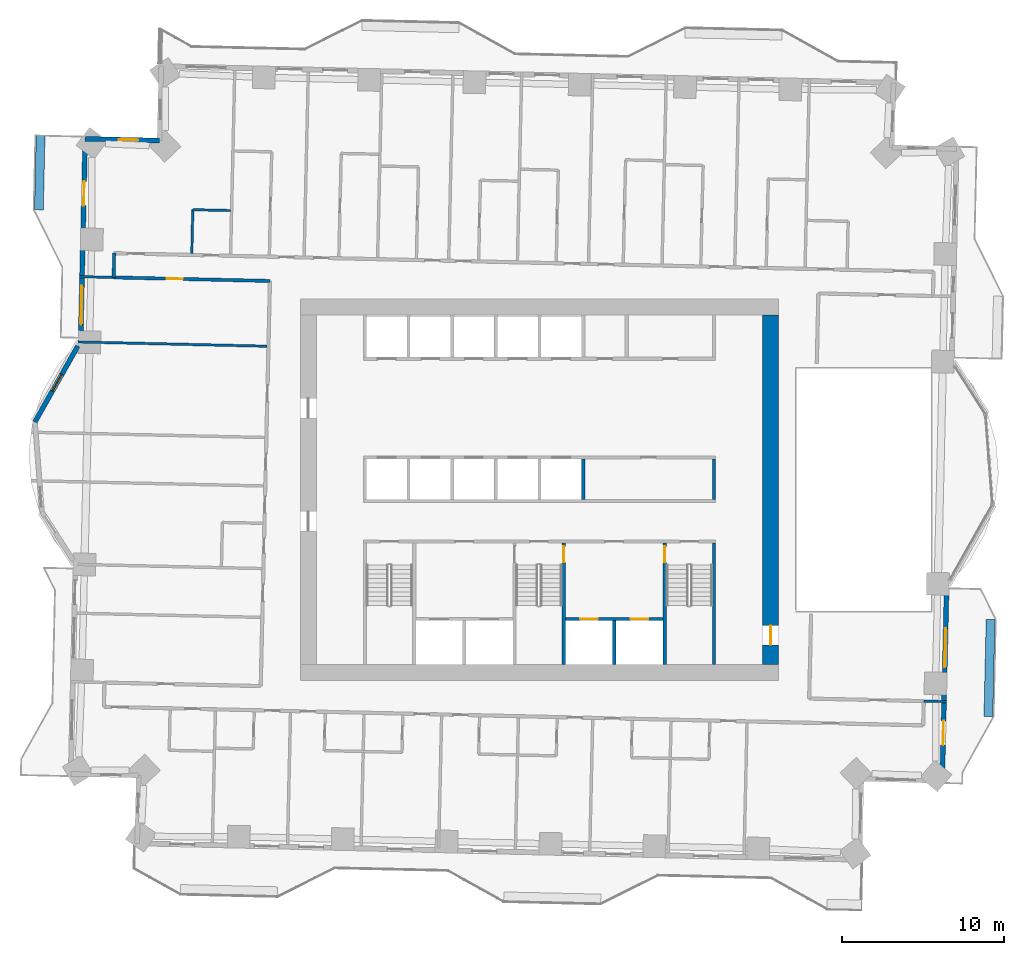
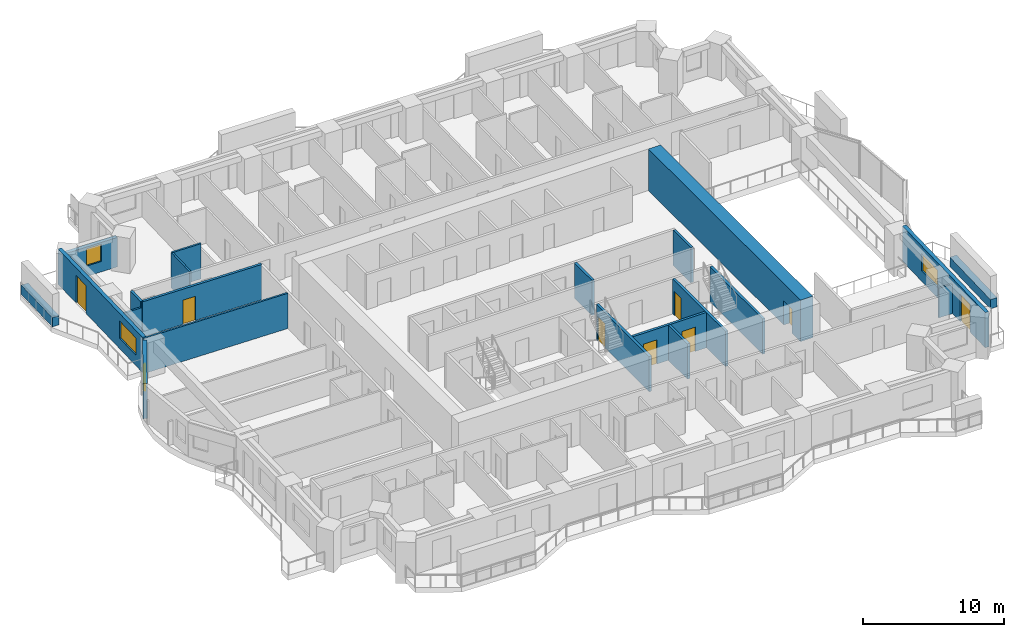
# One storey, part 9 of 16: 21 walls, 8 doors, 4 windows, 12 openings.
"""IFC4 building model written with IfcOpenShell, lengths in metres."""

from ifc_helpers import new_model, si_unit, direction, frame, frame_2d, origin, place, context, subcontext, project, spatial, rectangle, extrude, material, layer, layer_set, type_object, element, fill, save


model = new_model("IFC4")

# Units and contexts
model_context = context("Model", 3, precision=1e-05, world=origin(), true_north=direction((0.0, 1.0)))
body_context = subcontext(model_context, "Body", "Model", "MODEL_VIEW")
ifc_project = project(units=[si_unit("LENGTHUNIT", "METRE"), si_unit("AREAUNIT", "SQUARE_METRE"), si_unit("VOLUMEUNIT", "CUBIC_METRE"), si_unit("PLANEANGLEUNIT", "RADIAN"), si_unit("MASSUNIT", "GRAM", prefix="KILO")], contexts=[model_context])

# Site, building, storey
site_placement = place(None, origin())
site = spatial("IfcSite", under=ifc_project, at=site_placement, CompositionType="ELEMENT")
building_placement = place(site_placement, origin())
building = spatial("IfcBuilding", under=site, at=building_placement, Name="Mangrove Gate Tower", CompositionType="ELEMENT")
storey_placement = place(building_placement, frame((0.0, 0.0, 109.10009765625)))
storey = spatial("IfcBuildingStorey", under=building, at=storey_placement, Name="L27", CompositionType="ELEMENT", Elevation=109.10009765625)

# Wall
ifc_material_1 = material(Name="Concrete C32/40", Category="concrete")
ifc_layer_1 = layer(ifc_material_1, 0.199951171875)
ifc_layer_set_1 = layer_set([ifc_layer_1], Name="Core room wall 200 C32/40")
wall_type_1 = type_object("IfcWallType", Name="Core room wall 200 C32/40", PredefinedType="STANDARD", material=ifc_layer_set_1)
wall_1_placement = place(storey_placement, frame((10.800048828125, -0.60009765625, 0.0), z_axis=(0.0, 0.0, 1.0), x_axis=(0.0, 1.0, 0.0)))
element("IfcWall", 1, at=wall_1_placement, inside=storey, type_object=wall_type_1, Name="WALL-L27-CORE-25", PredefinedType="STANDARD", context=body_context, shape_type="SweptSolid", body=[
    extrude(rectangle(XDim=2.5, YDim=0.199951171875, at=frame_2d((1.25, 0.0))), origin(), (0.0, 0.0, 1.0), 3.0498046875),
])

# Wall, openings, doors
ifc_material_2 = material(Name="Concrete C70/85", Category="concrete")
ifc_layer_2 = layer(ifc_material_2, 0.199951171875)
ifc_layer_set_2 = layer_set([ifc_layer_2], Name="Core shaft wall 200 C70/85")
wall_type_2 = type_object("IfcWallType", Name="Core shaft wall 200 C70/85", PredefinedType="SHEAR", material=ifc_layer_set_2)
wall_2_placement = place(storey_placement, frame((1.60009765625, -8.0, 0.0), z_axis=(0.0, 0.0, 1.0), x_axis=(1.0, 0.0, 0.0)))
wall_2 = element("IfcWall", 2, at=wall_2_placement, inside=storey, type_object=wall_type_2, Name="WALL-L27-CORE-17", PredefinedType="SHEAR", context=body_context, shape_type="SweptSolid", body=[
    extrude(rectangle(XDim=6.0498046875, YDim=0.199951171875, at=frame_2d((3.02490234375, 0.0))), origin(), (0.0, 0.0, 1.0), 3.0498046875),
])
opening_1_placement = place(wall_2_placement, frame((0.91259765625, 0.0, 0.0)))
opening_1 = element("IfcOpeningElement", 3, at=opening_1_placement, cuts=wall_2, Name="Opening LD", PredefinedType="OPENING", context=body_context, shape_type="SweptSolid", body=[
    extrude(rectangle(XDim=1.10009765625, YDim=2.10009765625, at=frame_2d((0.550048828125, 1.050048828125))), frame((0.0, 0.10986328125, 0.0), z_axis=(0.0, -1.0, 0.0), x_axis=(1.0, 0.0, 0.0)), (0.0, 0.0, 1.0), 0.219970703125),
])
opening_2_placement = place(wall_2_placement, frame((4.03759765625, 0.0, 0.0)))
opening_2 = element("IfcOpeningElement", 4, at=opening_2_placement, cuts=wall_2, Name="Opening LD", PredefinedType="OPENING", context=body_context, shape_type="SweptSolid", body=[
    extrude(rectangle(XDim=1.10009765625, YDim=2.10009765625, at=frame_2d((0.550048828125, 1.050048828125))), frame((0.0, 0.10986328125, 0.0), z_axis=(0.0, -1.0, 0.0), x_axis=(1.0, 0.0, 0.0)), (0.0, 0.0, 1.0), 0.219970703125),
])
ifc_material_3 = material(Name="Stainless steel 316", Category="steel")
door_type_1 = type_object("IfcDoorType", Name="Lift landing door 1100x2100", OperationType="SLIDING_TO_LEFT", PredefinedType="DOOR", material=ifc_material_3)
door_1_placement = place(opening_1_placement, origin())
door_1 = element("IfcDoor", 5, at=door_1_placement, inside=storey, type_object=door_type_1, Name="Landing door LD FFL1", OperationType="SLIDING_TO_LEFT", OverallHeight=2.10009765625, OverallWidth=1.10009765625, PredefinedType="DOOR", context=body_context, shape_type="SweptSolid", body=[
    extrude(rectangle(XDim=1.10009765625, YDim=2.10009765625, at=frame_2d((0.550048828125, 1.050048828125))), frame((0.0, 0.02490234375, 0.0), z_axis=(0.0, -1.0, 0.0), x_axis=(1.0, 0.0, 0.0)), (0.0, 0.0, 1.0), 0.050048828125),
])
fill(opening_1, door_1)
door_2_placement = place(opening_2_placement, origin())
door_2 = element("IfcDoor", 6, at=door_2_placement, inside=storey, type_object=door_type_1, Name="Landing door LD FFL2", OperationType="SLIDING_TO_LEFT", OverallHeight=2.10009765625, OverallWidth=1.10009765625, PredefinedType="DOOR", context=body_context, shape_type="SweptSolid", body=[
    extrude(rectangle(XDim=1.10009765625, YDim=2.10009765625, at=frame_2d((0.550048828125, 1.050048828125))), frame((0.0, 0.02490234375, 0.0), z_axis=(0.0, -1.0, 0.0), x_axis=(1.0, 0.0, 0.0)), (0.0, 0.0, 1.0), 0.050048828125),
])
fill(opening_2, door_2)

# Walls
wall_3_placement = place(storey_placement, frame((4.625, -10.800048828125, 0.0), z_axis=(0.0, 0.0, 1.0), x_axis=(0.0, 1.0, 0.0)))
element("IfcWall", 7, at=wall_3_placement, inside=storey, type_object=wall_type_2, Name="WALL-L27-CORE-18", PredefinedType="SHEAR", context=body_context, shape_type="SweptSolid", body=[
    extrude(rectangle(XDim=2.699951171875, YDim=0.199951171875, at=frame_2d((1.35009765625, 0.0))), origin(), (0.0, 0.0, 1.0), 3.0498046875),
])
wall_4_placement = place(storey_placement, frame((2.699951171875, -0.60009765625, 0.0), z_axis=(0.0, 0.0, 1.0), x_axis=(0.0, 1.0, 0.0)))
element("IfcWall", 8, at=wall_4_placement, inside=storey, type_object=wall_type_2, Name="WALL-L27-CORE-24", PredefinedType="SHEAR", context=body_context, shape_type="SweptSolid", body=[
    extrude(rectangle(XDim=2.5, YDim=0.199951171875, at=frame_2d((1.25, 0.0))), origin(), (0.0, 0.0, 1.0), 3.0498046875),
])

# Wall, opening, door
ifc_material_4 = material(Name="Concrete C70/85", Category="concrete")
ifc_layer_3 = layer(ifc_material_4, 0.199951171875)
ifc_layer_set_3 = layer_set([ifc_layer_3], Name="Core stair wall 200 C70/85")
wall_type_3 = type_object("IfcWallType", Name="Core stair wall 200 C70/85", PredefinedType="SHEAR", material=ifc_layer_set_3)
wall_5_placement = place(storey_placement, frame((1.5, -10.800048828125, 0.0), z_axis=(0.0, 0.0, 1.0), x_axis=(0.0, 1.0, 0.0)))
wall_5 = element("IfcWall", 9, at=wall_5_placement, inside=storey, type_object=wall_type_3, Name="WALL-L27-CORE-12", PredefinedType="SHEAR", context=body_context, shape_type="SweptSolid", body=[
    extrude(rectangle(XDim=7.5, YDim=0.199951171875, at=frame_2d((3.75, 0.0))), origin(), (0.0, 0.0, 1.0), 3.0498046875),
])
opening_3_placement = place(wall_5_placement, frame((6.300048828125, 0.0, 0.0)))
opening_3 = element("IfcOpeningElement", 10, at=opening_3_placement, cuts=wall_5, Name="Opening STD10", PredefinedType="OPENING", context=body_context, shape_type="SweptSolid", body=[
    extrude(rectangle(XDim=1.0, YDim=2.10009765625, at=frame_2d((0.5, 1.050048828125))), frame((0.0, 0.10986328125, 0.0), z_axis=(0.0, -1.0, 0.0), x_axis=(1.0, 0.0, 0.0)), (0.0, 0.0, 1.0), 0.219970703125),
])
ifc_material_5 = material(Name="Fire-rated steel door set", Category="steel")
door_type_2 = type_object("IfcDoorType", Name="Stair door FD60 1000x2100", OperationType="SINGLE_SWING_RIGHT", PredefinedType="DOOR", material=ifc_material_5)
door_3_placement = place(opening_3_placement, origin())
door_3 = element("IfcDoor", 11, at=door_3_placement, inside=storey, type_object=door_type_2, Name="Stair door Stair 2 from fire-fighting lobby", OperationType="SINGLE_SWING_RIGHT", OverallHeight=2.10009765625, OverallWidth=1.0, PredefinedType="DOOR", context=body_context, shape_type="SweptSolid", body=[
    extrude(rectangle(XDim=1.0, YDim=2.10009765625, at=frame_2d((0.5, 1.050048828125))), frame((0.0, 0.02490234375, 0.0), z_axis=(0.0, -1.0, 0.0), x_axis=(1.0, 0.0, 0.0)), (0.0, 0.0, 1.0), 0.050048828125),
])
fill(opening_3, door_3)

wall_6_placement = place(storey_placement, frame((7.75, -10.800048828125, 0.0), z_axis=(0.0, 0.0, 1.0), x_axis=(0.0, 1.0, 0.0)))
wall_6 = element("IfcWall", 12, at=wall_6_placement, inside=storey, type_object=wall_type_3, Name="WALL-L27-CORE-13", PredefinedType="SHEAR", context=body_context, shape_type="SweptSolid", body=[
    extrude(rectangle(XDim=7.5, YDim=0.199951171875, at=frame_2d((3.75, 0.0))), origin(), (0.0, 0.0, 1.0), 3.0498046875),
])
opening_4_placement = place(wall_6_placement, frame((6.300048828125, 0.0, 0.0)))
opening_4 = element("IfcOpeningElement", 13, at=opening_4_placement, cuts=wall_6, Name="Opening STD10", PredefinedType="OPENING", context=body_context, shape_type="SweptSolid", body=[
    extrude(rectangle(XDim=1.0, YDim=2.10009765625, at=frame_2d((0.5, 1.050048828125))), frame((0.0, 0.10986328125, 0.0), z_axis=(0.0, -1.0, 0.0), x_axis=(1.0, 0.0, 0.0)), (0.0, 0.0, 1.0), 0.219970703125),
])
door_4_placement = place(opening_4_placement, origin())
door_4 = element("IfcDoor", 14, at=door_4_placement, inside=storey, type_object=door_type_2, Name="Stair door Stair 3 from fire-fighting lobby", OperationType="SINGLE_SWING_RIGHT", OverallHeight=2.10009765625, OverallWidth=1.0, PredefinedType="DOOR", context=body_context, shape_type="SweptSolid", body=[
    extrude(rectangle(XDim=1.0, YDim=2.10009765625, at=frame_2d((0.5, 1.050048828125))), frame((0.0, 0.02490234375, 0.0), z_axis=(0.0, -1.0, 0.0), x_axis=(1.0, 0.0, 0.0)), (0.0, 0.0, 1.0), 0.050048828125),
])
fill(opening_4, door_4)

# Wall
wall_7_placement = place(storey_placement, frame((10.800048828125, -10.800048828125, 0.0), z_axis=(0.0, 0.0, 1.0), x_axis=(0.0, 1.0, 0.0)))
element("IfcWall", 15, at=wall_7_placement, inside=storey, type_object=wall_type_3, Name="WALL-L27-CORE-14", PredefinedType="SHEAR", context=body_context, shape_type="SweptSolid", body=[
    extrude(rectangle(XDim=7.5, YDim=0.199951171875, at=frame_2d((3.75, 0.0))), origin(), (0.0, 0.0, 1.0), 3.0498046875),
])

# Wall, opening, door
ifc_material_6 = material(Name="Concrete C70/85", Category="concrete")
ifc_layer_4 = layer(ifc_material_6, 1.0)
ifc_layer_set_4 = layer_set([ifc_layer_4], Name="Core wall 1000 C70/85")
wall_type_4 = type_object("IfcWallType", Name="Core wall 1000 C70/85", PredefinedType="SHEAR", material=ifc_layer_set_4)
wall_8_placement = place(storey_placement, frame((14.300048828125, -10.800048828125, 0.0), z_axis=(0.0, 0.0, 1.0), x_axis=(0.0, 1.0, 0.0)))
wall_8 = element("IfcWall", 16, at=wall_8_placement, inside=storey, type_object=wall_type_4, Name="WALL-L27-CORE-4", PredefinedType="SHEAR", context=body_context, shape_type="SweptSolid", body=[
    extrude(rectangle(XDim=21.60009765625, YDim=1.0, at=frame_2d((10.800048828125, 0.0))), origin(), (0.0, 0.0, 1.0), 3.599853515625),
])
opening_5_placement = place(wall_8_placement, frame((1.199951171875, 0.0, 0.0)))
opening_5 = element("IfcOpeningElement", 17, at=opening_5_placement, cuts=wall_8, Name="Opening CD", PredefinedType="OPENING", context=body_context, shape_type="SweptSolid", body=[
    extrude(rectangle(XDim=1.199951171875, YDim=2.10009765625, at=frame_2d((0.60009765625, 1.050048828125))), frame((0.0, 0.510009765625, 0.0), z_axis=(0.0, -1.0, 0.0), x_axis=(1.0, 0.0, 0.0)), (0.0, 0.0, 1.0), 1.02001953125),
])
ifc_material_7 = material(Name="Fire-rated steel door set", Category="steel")
door_type_3 = type_object("IfcDoorType", Name="Core ring door FD60 1200x2100", OperationType="DOUBLE_DOOR_SINGLE_SWING", PredefinedType="DOOR", material=ifc_material_7)
door_5_placement = place(opening_5_placement, origin())
door_5 = element("IfcDoor", 18, at=door_5_placement, inside=storey, type_object=door_type_3, Name="Core ring door E1", OperationType="DOUBLE_DOOR_SINGLE_SWING", OverallHeight=2.10009765625, OverallWidth=1.199951171875, PredefinedType="DOOR", context=body_context, shape_type="SweptSolid", body=[
    extrude(rectangle(XDim=1.199951171875, YDim=2.10009765625, at=frame_2d((0.60009765625, 1.050048828125))), frame((0.0, 0.02490234375, 0.0), z_axis=(0.0, -1.0, 0.0), x_axis=(1.0, 0.0, 0.0)), (0.0, 0.0, 1.0), 0.050048828125),
])
fill(opening_5, door_5)

ifc_material_8 = material(Name="Gypsum board on steel stud, EI 60", Category="steel")
ifc_layer_5 = layer(ifc_material_8, 0.199951171875)
ifc_layer_set_5 = layer_set([ifc_layer_5], Name="Corridor wall EI 60")
wall_type_5 = type_object("IfcWallType", Name="Corridor wall EI 60", PredefinedType="PARTITIONING", material=ifc_layer_set_5)
wall_9_placement = place(storey_placement, frame((-26.35009765625, 13.134033203125, 0.0), z_axis=(0.0, 0.0, 1.0), x_axis=(0.999743721339, -0.022638278294, 0.0)))
wall_9 = element("IfcWall", 19, at=wall_9_placement, inside=storey, type_object=wall_type_5, Name="WALL-L27-040", PredefinedType="PARTITIONING", context=body_context, shape_type="SweptSolid", body=[
    extrude(rectangle(XDim=9.673583984375, YDim=0.199951171875, at=frame_2d((4.8369140625, 0.0))), origin(), (0.0, 0.0, 1.0), 3.0498046875),
])
opening_6_placement = place(wall_9_placement, frame((3.287109375, 0.0, 0.0)))
opening_6 = element("IfcOpeningElement", 20, at=opening_6_placement, cuts=wall_9, Name="Opening AD", PredefinedType="OPENING", context=body_context, shape_type="SweptSolid", body=[
    extrude(rectangle(XDim=1.0, YDim=2.10009765625, at=frame_2d((0.5, 1.050048828125))), frame((0.0, 0.10986328125, 0.0), z_axis=(0.0, -1.0, 0.0), x_axis=(1.0, 0.0, 0.0)), (0.0, 0.0, 1.0), 0.219970703125),
])
ifc_material_9 = material(Name="Timber door leaf", Category="wood")
door_type_4 = type_object("IfcDoorType", Name="Amenity door 1000", OperationType="SINGLE_SWING_LEFT", PredefinedType="DOOR", material=ifc_material_9)
door_6_placement = place(opening_6_placement, origin())
door_6 = element("IfcDoor", 21, at=door_6_placement, inside=storey, type_object=door_type_4, Name="DOOR-L27-GAM-c5a", OperationType="SINGLE_SWING_LEFT", OverallHeight=2.10009765625, OverallWidth=1.0, PredefinedType="DOOR", context=body_context, shape_type="SweptSolid", body=[
    extrude(rectangle(XDim=1.0, YDim=2.10009765625, at=frame_2d((0.5, 1.050048828125))), frame((0.0, 0.02490234375, 0.0), z_axis=(0.0, -1.0, 0.0), x_axis=(1.0, 0.0, 0.0)), (0.0, 0.0, 1.0), 0.050048828125),
])
fill(opening_6, door_6)

# Wall
wall_10_placement = place(storey_placement, frame((-26.345947265625, 13.137939453125, 0.0), z_axis=(0.0, 0.0, 1.0), x_axis=(0.022617910375, 0.999744182344, 0.0)))
element("IfcWall", 22, at=wall_10_placement, inside=storey, type_object=wall_type_5, Name="WALL-L27-043", PredefinedType="PARTITIONING", context=body_context, shape_type="SweptSolid", body=[
    extrude(rectangle(XDim=1.50048828125, YDim=0.199951171875, at=frame_2d((0.750244140625, 0.0))), origin(), (0.0, 0.0, 1.0), 3.0498046875),
])

# Wall, openings, door, window
ifc_material_10 = material(Name="Limestone", Category="masonry")
ifc_layer_6 = layer(ifc_material_10, 0.0400390625, Name="Limestone cladding")
ifc_material_11 = material(Name="Ventilated air gap")
ifc_layer_7 = layer(ifc_material_11, 0.0400390625, Name="Ventilated cavity")
ifc_material_12 = material(Name="Mineral wool insulation")
ifc_layer_8 = layer(ifc_material_12, 0.06005859375, Name="Insulation")
ifc_material_13 = material(Name="Breather membrane")
ifc_layer_9 = layer(ifc_material_13, 0.001953125, Name="Breather membrane")
ifc_material_14 = material(Name="Concrete C20/25 blockwork", Category="masonry")
ifc_layer_10 = layer(ifc_material_14, 0.14990234375, Name="Blockwork backing wall")
ifc_material_15 = material(Name="Gypsum plaster")
ifc_layer_11 = layer(ifc_material_15, 0.008056640625, Name="Internal plaster")
ifc_layer_set_6 = layer_set([ifc_layer_6, ifc_layer_7, ifc_layer_8, ifc_layer_9, ifc_layer_10, ifc_layer_11], Name="External wall 300 limestone cladding")
wall_type_6 = type_object("IfcWallType", Name="External wall 300 limestone cladding", PredefinedType="SOLIDWALL", material=ifc_layer_set_6)
wall_11_placement = place(storey_placement, frame((24.9150390625, -18.007080078125, 0.0), z_axis=(0.0, 0.0, 1.0), x_axis=(0.02263706344, 0.999743748847, 0.0)))
wall_11 = element("IfcWall", 23, at=wall_11_placement, inside=storey, type_object=wall_type_6, Name="WALL-L27-E0", PredefinedType="SOLIDWALL", context=body_context, shape_type="SweptSolid", body=[
    extrude(rectangle(XDim=12.230224609375, YDim=0.300048828125, at=frame_2d((6.115234375, 0.0))), origin(), (0.0, 0.0, 1.0), 3.0498046875),
])
opening_7_placement = place(wall_11_placement, frame((2.212890625, 0.0, 0.0)))
opening_7 = element("IfcOpeningElement", 24, at=opening_7_placement, cuts=wall_11, Name="Opening BD1", PredefinedType="OPENING", context=body_context, shape_type="SweptSolid", body=[
    extrude(rectangle(XDim=1.5, YDim=2.39990234375, at=frame_2d((0.75, 1.199951171875))), frame((0.0, 0.159912109375, 0.0), z_axis=(0.0, -1.0, 0.0), x_axis=(1.0, 0.0, 0.0)), (0.0, 0.0, 1.0), 0.320068359375),
])
opening_8_placement = place(wall_11_placement, frame((7.027099609375, 0.0, 0.89990234375)))
opening_8 = element("IfcOpeningElement", 25, at=opening_8_placement, cuts=wall_11, Name="Opening W2", PredefinedType="OPENING", context=body_context, shape_type="SweptSolid", body=[
    extrude(rectangle(XDim=2.39990234375, YDim=1.5, at=frame_2d((1.199951171875, 0.75))), frame((0.0, 0.159912109375, 0.0), z_axis=(0.0, -1.0, 0.0), x_axis=(1.0, 0.0, 0.0)), (0.0, 0.0, 1.0), 0.320068359375),
])
ifc_material_16 = material(Name="Aluminium frame with laminated clear glass", Category="aluminium")
door_type_5 = type_object("IfcDoorType", Name="Balcony sliding door 1500x2400", OperationType="SLIDING_TO_LEFT", PredefinedType="DOOR", material=ifc_material_16)
door_7_placement = place(opening_7_placement, origin())
door_7 = element("IfcDoor", 26, at=door_7_placement, inside=storey, type_object=door_type_5, Name="DOOR-L27-E0-1", OperationType="SLIDING_TO_LEFT", OverallHeight=2.39990234375, OverallWidth=1.5, PredefinedType="DOOR", context=body_context, shape_type="SweptSolid", body=[
    extrude(rectangle(XDim=1.5, YDim=2.39990234375, at=frame_2d((0.75, 1.199951171875))), frame((0.0, 0.02490234375, 0.0), z_axis=(0.0, -1.0, 0.0), x_axis=(1.0, 0.0, 0.0)), (0.0, 0.0, 1.0), 0.050048828125),
])
fill(opening_7, door_7)
ifc_material_17 = material(Name="Aluminium frame with double-glazed low-e glass", Category="aluminium")
window_type_1 = type_object("IfcWindowType", Name="Corner room window 2400x1500", PartitioningType="DOUBLE_PANEL_VERTICAL", PredefinedType="WINDOW", material=ifc_material_17)
window_1_placement = place(opening_8_placement, origin())
window_1 = element("IfcWindow", 27, at=window_1_placement, inside=storey, type_object=window_type_1, Name="WIN-L27-E0-2", OverallHeight=1.5, OverallWidth=2.39990234375, PartitioningType="DOUBLE_PANEL_VERTICAL", PredefinedType="WINDOW", context=body_context, shape_type="SweptSolid", body=[
    extrude(rectangle(XDim=2.39990234375, YDim=1.5, at=frame_2d((1.199951171875, 0.75))), frame((0.0, 0.030029296875, 0.0), z_axis=(0.0, -1.0, 0.0), x_axis=(1.0, 0.0, 0.0)), (0.0, 0.0, 1.0), 0.06005859375),
])
fill(opening_8, window_1)

# Wall, opening, window
wall_12_placement = place(storey_placement, frame((-23.507080078125, 21.60205078125, 0.0), z_axis=(0.0, 0.0, 1.0), x_axis=(-0.999739556364, 0.022821468877, 0.0)))
wall_12 = element("IfcWall", 28, at=wall_12_placement, inside=storey, type_object=wall_type_6, Name="WALL-L27-N7", PredefinedType="SOLIDWALL", context=body_context, shape_type="SweptSolid", body=[
    extrude(rectangle(XDim=4.60009765625, YDim=0.300048828125, at=frame_2d((2.300048828125, 0.0))), origin(), (0.0, 0.0, 1.0), 2.5498046875),
])
opening_9_placement = place(wall_12_placement, frame((1.324951171875, 0.0, 0.89990234375)))
opening_9 = element("IfcOpeningElement", 29, at=opening_9_placement, cuts=wall_12, Name="Opening W1", PredefinedType="OPENING", context=body_context, shape_type="SweptSolid", body=[
    extrude(rectangle(XDim=1.199951171875, YDim=1.5, at=frame_2d((0.60009765625, 0.75))), frame((0.0, 0.159912109375, 0.0), z_axis=(0.0, -1.0, 0.0), x_axis=(1.0, 0.0, 0.0)), (0.0, 0.0, 1.0), 0.320068359375),
])
ifc_material_18 = material(Name="Aluminium frame with double-glazed low-e glass", Category="aluminium")
window_type_2 = type_object("IfcWindowType", Name="Side lite 1200x1500", PartitioningType="SINGLE_PANEL", PredefinedType="WINDOW", material=ifc_material_18)
window_2_placement = place(opening_9_placement, origin())
window_2 = element("IfcWindow", 30, at=window_2_placement, inside=storey, type_object=window_type_2, Name="WIN-L27-N7-1", OverallHeight=1.5, OverallWidth=1.199951171875, PartitioningType="SINGLE_PANEL", PredefinedType="WINDOW", context=body_context, shape_type="SweptSolid", body=[
    extrude(rectangle(XDim=1.199951171875, YDim=1.5, at=frame_2d((0.60009765625, 0.75))), frame((0.0, 0.030029296875, 0.0), z_axis=(0.0, -1.0, 0.0), x_axis=(1.0, 0.0, 0.0)), (0.0, 0.0, 1.0), 0.06005859375),
])
fill(opening_9, window_2)

# Wall, openings, door, window
wall_13_placement = place(storey_placement, frame((-28.10595703125, 21.70703125, 0.0), z_axis=(0.0, 0.0, 1.0), x_axis=(-0.022654663697, -0.999743350172, 0.0)))
wall_13 = element("IfcWall", 31, at=wall_13_placement, inside=storey, type_object=wall_type_6, Name="WALL-L27-W8", PredefinedType="SOLIDWALL", context=body_context, shape_type="SweptSolid", body=[
    extrude(rectangle(XDim=12.630126953125, YDim=0.300048828125, at=frame_2d((6.31494140625, 0.0))), origin(), (0.0, 0.0, 1.0), 3.0498046875),
])
opening_10_placement = place(wall_13_placement, frame((2.625, 0.0, 0.0)))
opening_10 = element("IfcOpeningElement", 32, at=opening_10_placement, cuts=wall_13, Name="Opening BD1", PredefinedType="OPENING", context=body_context, shape_type="SweptSolid", body=[
    extrude(rectangle(XDim=1.5, YDim=2.39990234375, at=frame_2d((0.75, 1.199951171875))), frame((0.0, 0.159912109375, 0.0), z_axis=(0.0, -1.0, 0.0), x_axis=(1.0, 0.0, 0.0)), (0.0, 0.0, 1.0), 0.320068359375),
])
opening_11_placement = place(wall_13_placement, frame((9.10107421875, 0.0, 0.89990234375)))
opening_11 = element("IfcOpeningElement", 33, at=opening_11_placement, cuts=wall_13, Name="Opening W2", PredefinedType="OPENING", context=body_context, shape_type="SweptSolid", body=[
    extrude(rectangle(XDim=2.39990234375, YDim=1.5, at=frame_2d((1.199951171875, 0.75))), frame((0.0, 0.159912109375, 0.0), z_axis=(0.0, -1.0, 0.0), x_axis=(1.0, 0.0, 0.0)), (0.0, 0.0, 1.0), 0.320068359375),
])
door_8_placement = place(opening_10_placement, origin())
door_8 = element("IfcDoor", 34, at=door_8_placement, inside=storey, type_object=door_type_5, Name="DOOR-L27-W8-1", OperationType="SLIDING_TO_LEFT", OverallHeight=2.39990234375, OverallWidth=1.5, PredefinedType="DOOR", context=body_context, shape_type="SweptSolid", body=[
    extrude(rectangle(XDim=1.5, YDim=2.39990234375, at=frame_2d((0.75, 1.199951171875))), frame((0.0, 0.02490234375, 0.0), z_axis=(0.0, -1.0, 0.0), x_axis=(1.0, 0.0, 0.0)), (0.0, 0.0, 1.0), 0.050048828125),
])
fill(opening_10, door_8)
window_3_placement = place(opening_11_placement, origin())
window_3 = element("IfcWindow", 35, at=window_3_placement, inside=storey, type_object=window_type_1, Name="WIN-L27-W8-2", OverallHeight=1.5, OverallWidth=2.39990234375, PartitioningType="DOUBLE_PANEL_VERTICAL", PredefinedType="WINDOW", context=body_context, shape_type="SweptSolid", body=[
    extrude(rectangle(XDim=2.39990234375, YDim=1.5, at=frame_2d((1.199951171875, 0.75))), frame((0.0, 0.030029296875, 0.0), z_axis=(0.0, -1.0, 0.0), x_axis=(1.0, 0.0, 0.0)), (0.0, 0.0, 1.0), 0.06005859375),
])
fill(opening_11, window_3)

# Wall, opening, window
wall_14_placement = place(storey_placement, frame((-28.556884765625, 8.89404296875, 0.0), z_axis=(0.0, 0.0, 1.0), x_axis=(-0.492589172415, -0.8702619762, 0.0)))
wall_14 = element("IfcWall", 36, at=wall_14_placement, inside=storey, type_object=wall_type_6, Name="WALL-L27-W9f1", PredefinedType="SOLIDWALL", context=body_context, shape_type="SweptSolid", body=[
    extrude(rectangle(XDim=5.3984375, YDim=0.300048828125, at=frame_2d((2.69921875, 0.0))), origin(), (0.0, 0.0, 1.0), 3.0498046875),
])
opening_12_placement = place(wall_14_placement, frame((2.008056640625, 0.0, 0.89990234375)))
opening_12 = element("IfcOpeningElement", 37, at=opening_12_placement, cuts=wall_14, Name="Opening W1", PredefinedType="OPENING", context=body_context, shape_type="SweptSolid", body=[
    extrude(rectangle(XDim=1.199951171875, YDim=1.5, at=frame_2d((0.60009765625, 0.75))), frame((0.0, 0.159912109375, 0.0), z_axis=(0.0, -1.0, 0.0), x_axis=(1.0, 0.0, 0.0)), (0.0, 0.0, 1.0), 0.320068359375),
])
window_4_placement = place(opening_12_placement, origin())
window_4 = element("IfcWindow", 38, at=window_4_placement, inside=storey, type_object=window_type_2, Name="WIN-L27-W9f1", OverallHeight=1.5, OverallWidth=1.199951171875, PartitioningType="SINGLE_PANEL", PredefinedType="WINDOW", context=body_context, shape_type="SweptSolid", body=[
    extrude(rectangle(XDim=1.199951171875, YDim=1.5, at=frame_2d((0.60009765625, 0.75))), frame((0.0, 0.030029296875, 0.0), z_axis=(0.0, -1.0, 0.0), x_axis=(1.0, 0.0, 0.0)), (0.0, 0.0, 1.0), 0.06005859375),
])
fill(opening_12, window_4)

# Walls
ifc_material_19 = material(Name="Gypsum board on steel stud, EI 60", Category="steel")
ifc_layer_12 = layer(ifc_material_19, 0.14990234375)
ifc_layer_set_7 = layer_set([ifc_layer_12], Name="Party wall 150 EI 60")
wall_type_7 = type_object("IfcWallType", Name="Party wall 150 EI 60", PredefinedType="PARTITIONING", material=ifc_layer_set_7)
wall_15_placement = place(storey_placement, frame((23.77197265625, -13.0791015625, 0.0), z_axis=(0.0, 0.0, 1.0), x_axis=(0.999740667531, -0.022772739949, 0.0)))
element("IfcWall", 39, at=wall_15_placement, inside=storey, type_object=wall_type_7, Name="WALL-L27-030", PredefinedType="PARTITIONING", context=body_context, shape_type="SweptSolid", body=[
    extrude(rectangle(XDim=1.404296875, YDim=0.14990234375, at=frame_2d((0.7021484375, 0.0))), origin(), (0.0, 0.0, 1.0), 2.5498046875),
])
wall_16_placement = place(storey_placement, frame((-28.541015625, 9.14306640625, 0.0), z_axis=(0.0, 0.0, 1.0), x_axis=(0.999742008279, -0.022713803786, 0.0)))
element("IfcWall", 40, at=wall_16_placement, inside=storey, type_object=wall_type_7, Name="WALL-L27-038", PredefinedType="PARTITIONING", context=body_context, shape_type="SweptSolid", body=[
    extrude(rectangle(XDim=11.6728515625, YDim=0.14990234375, at=frame_2d((5.83642578125, 0.0))), origin(), (0.0, 0.0, 1.0), 3.0498046875),
])
wall_17_placement = place(storey_placement, frame((-28.448974609375, 13.181884765625, 0.0), z_axis=(0.0, 0.0, 1.0), x_axis=(0.999741236023, -0.022747769011, 0.0)))
element("IfcWall", 41, at=wall_17_placement, inside=storey, type_object=wall_type_7, Name="WALL-L27-039", PredefinedType="PARTITIONING", context=body_context, shape_type="SweptSolid", body=[
    extrude(rectangle(XDim=2.103515625, YDim=0.14990234375, at=frame_2d((1.0517578125, 0.0))), origin(), (0.0, 0.0, 1.0), 2.5498046875),
])
wall_18_placement = place(storey_placement, frame((-21.510986328125, 14.62890625, 0.0), z_axis=(0.0, 0.0, 1.0), x_axis=(0.022969966847, 0.999736155505, 0.0)))
element("IfcWall", 42, at=wall_18_placement, inside=storey, type_object=wall_type_7, Name="WALL-L27-046", PredefinedType="PARTITIONING", context=body_context, shape_type="SweptSolid", body=[
    extrude(rectangle(XDim=2.69970703125, YDim=0.14990234375, at=frame_2d((1.349853515625, 0.0))), origin(), (0.0, 0.0, 1.0), 3.0498046875),
])
wall_19_placement = place(storey_placement, frame((-21.452880859375, 17.323974609375, 0.0), z_axis=(0.0, 0.0, 1.0), x_axis=(0.999749744571, -0.022370700241, 0.0)))
element("IfcWall", 43, at=wall_19_placement, inside=storey, type_object=wall_type_7, Name="WALL-L27-065", PredefinedType="PARTITIONING", context=body_context, shape_type="SweptSolid", body=[
    extrude(rectangle(XDim=2.324462890625, YDim=0.14990234375, at=frame_2d((1.162109375, 0.0))), origin(), (0.0, 0.0, 1.0), 3.0498046875),
])
ifc_material_20 = material(Name="Concrete C32/40", Category="concrete")
ifc_layer_13 = layer(ifc_material_20, 0.199951171875, Name="Planter trough wall")
ifc_material_21 = material(Name="Bituminous waterproofing membrane")
ifc_layer_14 = layer(ifc_material_21, 0.0048828125, Name="Waterproofing")
ifc_material_22 = material(Name="Drainage board and gravel")
ifc_layer_15 = layer(ifc_material_22, 0.044921875, Name="Drainage layer")
ifc_material_23 = material(Name="Planting soil")
ifc_layer_16 = layer(ifc_material_23, 0.300048828125, Name="Growing medium")
ifc_layer_set_8 = layer_set([ifc_layer_13, ifc_layer_14, ifc_layer_15, ifc_layer_16], Name="Planter wall 550 C32/40")
wall_type_8 = type_object("IfcWallType", Name="Planter wall 550 C32/40", PredefinedType="USERDEFINED", material=ifc_layer_set_8)
wall_20_placement = place(storey_placement, frame((27.77099609375, -14.02099609375, 0.0), z_axis=(0.0, 0.0, 1.0), x_axis=(0.022662255828, 0.999743178102, 0.0)))
element("IfcWall", 44, at=wall_20_placement, inside=storey, type_object=wall_type_8, Name="PLANTER L27 E0.1", ObjectType="PLANTER", PredefinedType="USERDEFINED", context=body_context, shape_type="SweptSolid", body=[
    extrude(rectangle(XDim=6.00048828125, YDim=0.550048828125, at=frame_2d((3.000244140625, 0.0))), origin(), (0.0, 0.0, 1.0), 0.7998046875),
])
wall_21_placement = place(storey_placement, frame((-30.970947265625, 17.321044921875, 0.0), z_axis=(0.0, 0.0, 1.0), x_axis=(0.022614084774, 0.999744268886, 0.0)))
element("IfcWall", 45, at=wall_21_placement, inside=storey, type_object=wall_type_8, Name="PLANTER L27 W0.1", ObjectType="PLANTER", PredefinedType="USERDEFINED", context=body_context, shape_type="SweptSolid", body=[
    extrude(rectangle(XDim=4.59912109375, YDim=0.550048828125, at=frame_2d((2.299560546875, 0.0))), origin(), (0.0, 0.0, 1.0), 0.7998046875),
])

save(model, "model.ifc")
